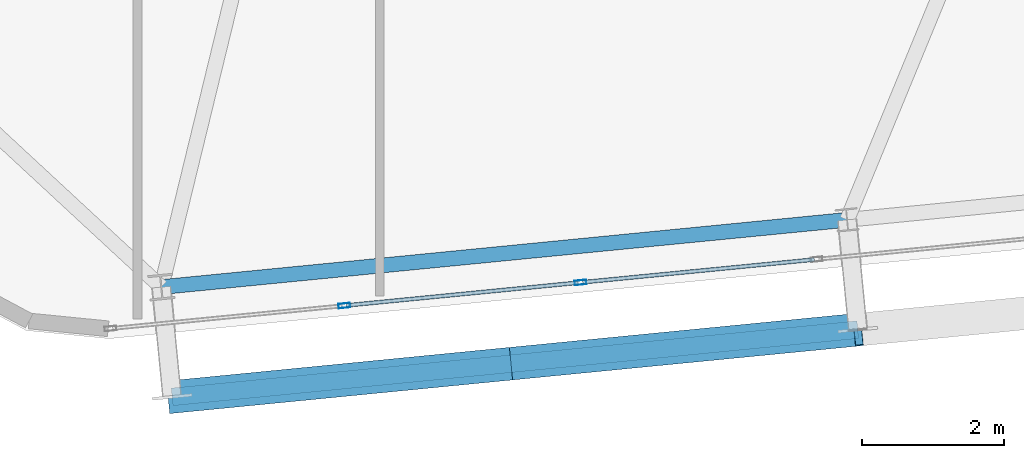
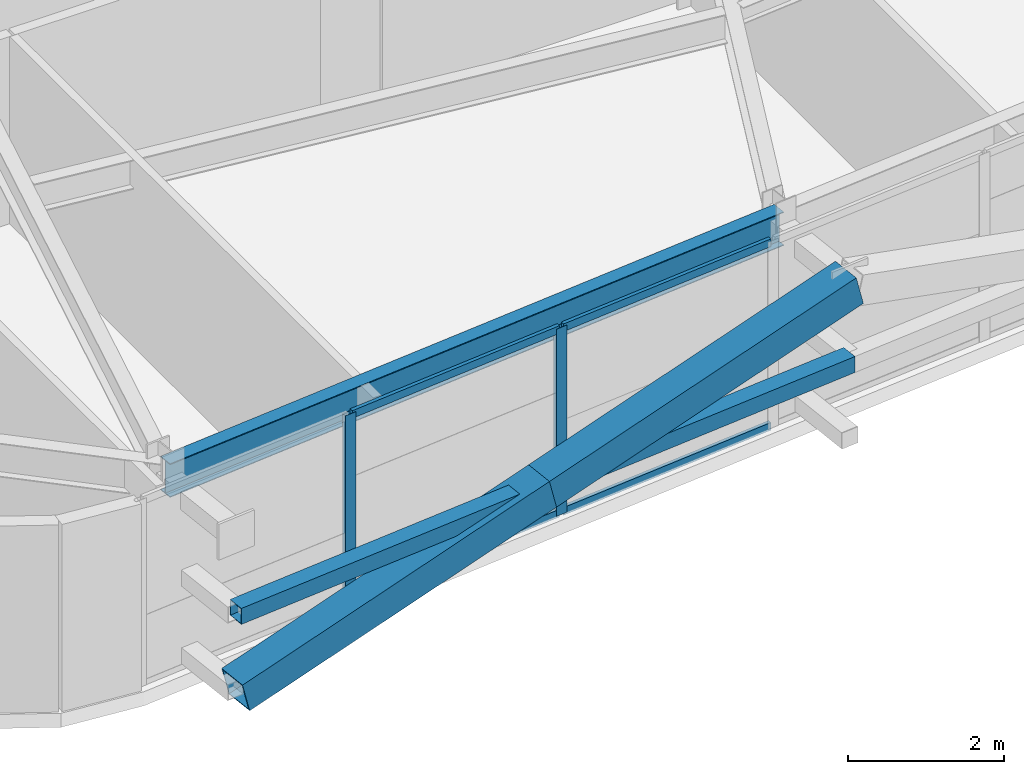
# One storey, part 6 of 52: 9 members, 1 beam, 1 element without a shape of its own.
"""IFC4 building model written with IfcOpenShell, lengths in metres."""

from ifc_helpers import new_model, si_unit, direction, frame, origin, origin_2d, place, context, subcontext, project, spatial, hollow_rectangle, i_section, extrude, source, transform, mapped, material, layer, layer_set, material_profile, profile_set, type_object, element, aggregate, save


model = new_model("IFC4")

# Units and contexts
model_context = context("Model", 3, precision=1e-05, world=origin(), true_north=direction((0.0, 1.0)))
body_context = subcontext(model_context, "Body", "Model", "MODEL_VIEW")
ifc_project = project(units=[si_unit("LENGTHUNIT", "METRE"), si_unit("AREAUNIT", "SQUARE_METRE"), si_unit("VOLUMEUNIT", "CUBIC_METRE"), si_unit("PLANEANGLEUNIT", "RADIAN"), si_unit("MASSUNIT", "GRAM", prefix="KILO")], contexts=[model_context])

# Site, building, storey
site_placement = place(None, origin())
site = spatial("IfcSite", under=ifc_project, at=site_placement, CompositionType="ELEMENT")
building_placement = place(site_placement, origin())
building = spatial("IfcBuilding", under=site, at=building_placement, Name="Taldren Reach Tower", CompositionType="ELEMENT")
storey_placement = place(building_placement, frame((0.0, 0.0, 93.449951171875)))
storey = spatial("IfcBuildingStorey", under=building, at=storey_placement, Name="L28", CompositionType="ELEMENT", Elevation=93.449951171875)

# Beam
ifc_material_1 = material(Name="Steel Gr 350 (350PLUS)", Category="steel")
ifc_material_profile_1 = material_profile(ifc_material_1, i_section(OverallWidth=0.208984375, OverallDepth=0.528076171875, WebThickness=0.009521484375, FlangeThickness=0.01318359375, at=origin_2d()), Name="530UB82.0")
ifc_profile_set_1 = profile_set([ifc_material_profile_1], Name="Steel Gr 350 (350PLUS)")
beam_type = type_object("IfcBeamType", Name="SP-UB530B", PredefinedType="SPANDREL", material=ifc_profile_set_1)
shared_shape_1 = source(origin(), body_context, "Body", "SweptSolid", [
    extrude(i_section(OverallWidth=0.208984375, OverallDepth=0.528076171875, WebThickness=0.009521484375, FlangeThickness=0.01318359375, at=origin_2d()), origin(), (0.0, 0.0, 1.0), 9.679931640625),
])
beam_placement = place(storey_placement, frame((14.93408203125, -0.079833984375, 2.666015625), z_axis=(0.995227612658, 0.097580730699, 0.0), x_axis=(-0.097580730699, 0.995227612658, 0.0)))
element("IfcBeam", 1, at=beam_placement, inside=storey, type_object=beam_type, Name="Perimeter spandrel B2 S1-S2 L28", PredefinedType="SPANDREL", context=body_context, shape_type="MappedRepresentation", body=[
    mapped(shared_shape_1, transform((0.0, 0.0, 0.0), scale=1.0)),
])

# Members
ifc_material_2 = material(Name="Steel Gr 450 (C450L0)", Category="steel")
ifc_material_profile_2 = material_profile(ifc_material_2, hollow_rectangle(XDim=0.4599609375, YDim=0.4599609375, WallThickness=0.01611328125, at=origin_2d()), Name="460x460x16.0SHS")
ifc_profile_set_2 = profile_set([ifc_material_profile_2], Name="Steel Gr 450 (C450L0)")
member_type_1 = type_object("IfcMemberType", Name="MB-EXO457", PredefinedType="BRACE", material=ifc_profile_set_2)
shared_shape_2 = source(origin(), body_context, "Body", "SweptSolid", [
    extrude(hollow_rectangle(XDim=0.4599609375, YDim=0.4599609375, WallThickness=0.01611328125, at=origin_2d()), origin(), (0.0, 0.0, 1.0), 4.990234375),
])
for number, where, z_axis, x_axis, name in (
    (2, (15.08544921875, -1.62255859375, 0.219970703125), (0.965271056716, 0.094667992638, 0.243494883389), (-0.097605711627, 0.995225162995, 0.0), "Exoskeleton Diagrid Brace B2-S1 L28"),
    (3, (19.90234375, -1.150146484375, 1.43505859375), (0.965275526283, 0.094619506732, 0.243496010862), (-0.097555749586, 0.995230061706, 0.0), "Exoskeleton Diagrid Brace B2-S1 L28"),
):
    element("IfcMember", number, at=place(storey_placement, frame(where, z_axis=z_axis, x_axis=x_axis)), inside=storey, type_object=member_type_1, Name=name, PredefinedType="BRACE", context=body_context, shape_type="MappedRepresentation", body=[
        mapped(shared_shape_2, transform((0.0, 0.0, 0.0), scale=1.0)),
    ])
ifc_material_3 = material(Name="Steel Gr 350 (C350L0)", Category="steel")
ifc_material_profile_3 = material_profile(ifc_material_3, hollow_rectangle(XDim=0.25, YDim=0.25, WallThickness=0.010009765625, at=origin_2d()), Name="250x250x10.0SHS")
ifc_profile_set_3 = profile_set([ifc_material_profile_3], Name="Steel Gr 350 (C350L0)")
member_type_2 = type_object("IfcMemberType", Name="MB-POST250", PredefinedType="POST", material=ifc_profile_set_3)
shared_shape_3 = source(origin(), body_context, "Body", "SweptSolid", [
    extrude(hollow_rectangle(XDim=0.25, YDim=0.25, WallThickness=0.010009765625, at=origin_2d()), origin(), (0.0, 0.0, 1.0), 9.679931640625),
])
member_1_placement = place(storey_placement, frame((15.08544921875, -1.62255859375, 1.43505859375), z_axis=(0.995227612658, 0.097580730699, 0.0), x_axis=(-0.097580730699, 0.995227612658, 0.0)))
element("IfcMember", 4, at=member_1_placement, inside=storey, type_object=member_type_2, Name="Exoskeleton mid-height ring chord B2-S1 L28", PredefinedType="POST", context=body_context, shape_type="MappedRepresentation", body=[
    mapped(shared_shape_3, transform((0.0, 0.0, 0.0), scale=1.0)),
])

# Curtain wall, members
ifc_material_4 = material(Name="Aluminium and Low-E Glass Unitised System", Category="aluminium")
ifc_layer = layer(ifc_material_4, 0.159912109375)
ifc_layer_set = layer_set([ifc_layer], Name="Aluminium and Low-E Glass Unitised System")
curtain_wall_type = type_object("IfcCurtainWallType", Name="CW-SYS-3", PredefinedType="NOTDEFINED", material=ifc_layer_set)
curtain_wall_placement = place(storey_placement, origin())
curtain_wall = element("IfcCurtainWall", 5, at=curtain_wall_placement, inside=storey, type_object=curtain_wall_type, Name="Unitised curtain wall CW-L28-S", PredefinedType="NOTDEFINED")
ifc_material_5 = material(Name="Anodised Aluminium 6063-T6", Category="aluminium")
ifc_material_profile_4 = material_profile(ifc_material_5, hollow_rectangle(XDim=0.06494140625, YDim=0.1650390625, WallThickness=0.00390625, at=origin_2d()), Name="ALU-165x65x4RHS")
ifc_profile_set_4 = profile_set([ifc_material_profile_4], Name="Anodised Aluminium 6063-T6")
member_type_3 = type_object("IfcMemberType", Name="CW-MUL-165", PredefinedType="MULLION", material=ifc_profile_set_4)
shared_shape_4 = source(origin(), body_context, "Body", "SweptSolid", [
    extrude(hollow_rectangle(XDim=0.06494140625, YDim=0.1650390625, WallThickness=0.00390625, at=origin_2d()), origin(), (0.0, 0.0, 1.0), 2.929931640625),
])
member_2_placement = place(storey_placement, frame((17.505126953125, -0.34033203125, 0.0), z_axis=(0.0, 0.0, 1.0), x_axis=(-0.097582999046, 0.995227390247, 0.0)))
member_2 = element("IfcMember", 6, at=member_2_placement, type_object=member_type_3, Name="CW-3 mullion 2", PredefinedType="MULLION", context=body_context, shape_type="MappedRepresentation", body=[
    mapped(shared_shape_4, transform((0.0, 0.0, 0.0), scale=1.0)),
])
member_3_placement = place(storey_placement, frame((20.822509765625, -0.014892578125, 0.0), z_axis=(0.0, 0.0, 1.0), x_axis=(-0.097582999046, 0.995227390247, 0.0)))
member_3 = element("IfcMember", 7, at=member_3_placement, type_object=member_type_3, Name="CW-3 mullion 3", PredefinedType="MULLION", context=body_context, shape_type="MappedRepresentation", body=[
    mapped(shared_shape_4, transform((0.0, 0.0, 0.0), scale=1.0)),
])
ifc_material_profile_5 = material_profile(ifc_material_5, hollow_rectangle(XDim=0.054931640625, YDim=0.1201171875, WallThickness=0.0029296875, at=origin_2d()), Name="ALU-120x55x3RHS")
ifc_profile_set_5 = profile_set([ifc_material_profile_5], Name="Anodised Aluminium 6063-T6")
member_type_4 = type_object("IfcMemberType", Name="CW-TRN-135", PredefinedType="USERDEFINED", material=ifc_profile_set_5)
shared_shape_5 = source(origin(), body_context, "Body", "SweptSolid", [
    extrude(hollow_rectangle(XDim=0.054931640625, YDim=0.1201171875, WallThickness=0.0029296875, at=origin_2d()), origin(), (0.0, 0.0, 1.0), 3.268310546875),
])
member_4_placement = place(storey_placement, frame((17.53759765625, -0.337158203125, 0.027587890625), z_axis=(0.995222549564, 0.097632355496, 0.0), x_axis=(-0.097632355496, 0.995222549564, 0.0)))
member_4 = element("IfcMember", 8, at=member_4_placement, type_object=member_type_4, Name="CW-3 transom 2.1", ObjectType="TRANSOM", PredefinedType="USERDEFINED", context=body_context, shape_type="MappedRepresentation", body=[
    mapped(shared_shape_5, transform((0.0, 0.0, 0.0), scale=1.0)),
])
member_5_placement = place(storey_placement, frame((17.53759765625, -0.337158203125, 2.902587890625), z_axis=(0.995222549564, 0.097632355496, 0.0), x_axis=(-0.097632355496, 0.995222549564, 0.0)))
member_5 = element("IfcMember", 9, at=member_5_placement, type_object=member_type_4, Name="CW-3 transom 2.2", ObjectType="TRANSOM", PredefinedType="USERDEFINED", context=body_context, shape_type="MappedRepresentation", body=[
    mapped(shared_shape_5, transform((0.0, 0.0, 0.0), scale=1.0)),
])
member_6_placement = place(storey_placement, frame((20.85498046875, -0.01171875, 0.027587890625), z_axis=(0.99522980512, 0.097558367146, 0.0), x_axis=(-0.097558367146, 0.99522980512, 0.0)))
member_6 = element("IfcMember", 10, at=member_6_placement, type_object=member_type_4, Name="CW-3 transom 3.1", ObjectType="TRANSOM", PredefinedType="USERDEFINED", context=body_context, shape_type="MappedRepresentation", body=[
    mapped(shared_shape_5, transform((0.0, 0.0, 0.0), scale=1.0)),
])
member_7_placement = place(storey_placement, frame((20.85498046875, -0.01171875, 2.902587890625), z_axis=(0.99522980512, 0.097558367146, 0.0), x_axis=(-0.097558367146, 0.99522980512, 0.0)))
member_7 = element("IfcMember", 11, at=member_7_placement, type_object=member_type_4, Name="CW-3 transom 3.2", ObjectType="TRANSOM", PredefinedType="USERDEFINED", context=body_context, shape_type="MappedRepresentation", body=[
    mapped(shared_shape_5, transform((0.0, 0.0, 0.0), scale=1.0)),
])
aggregate(curtain_wall, [member_2, member_3, member_4, member_5, member_6, member_7])

save(model, "model.ifc")
